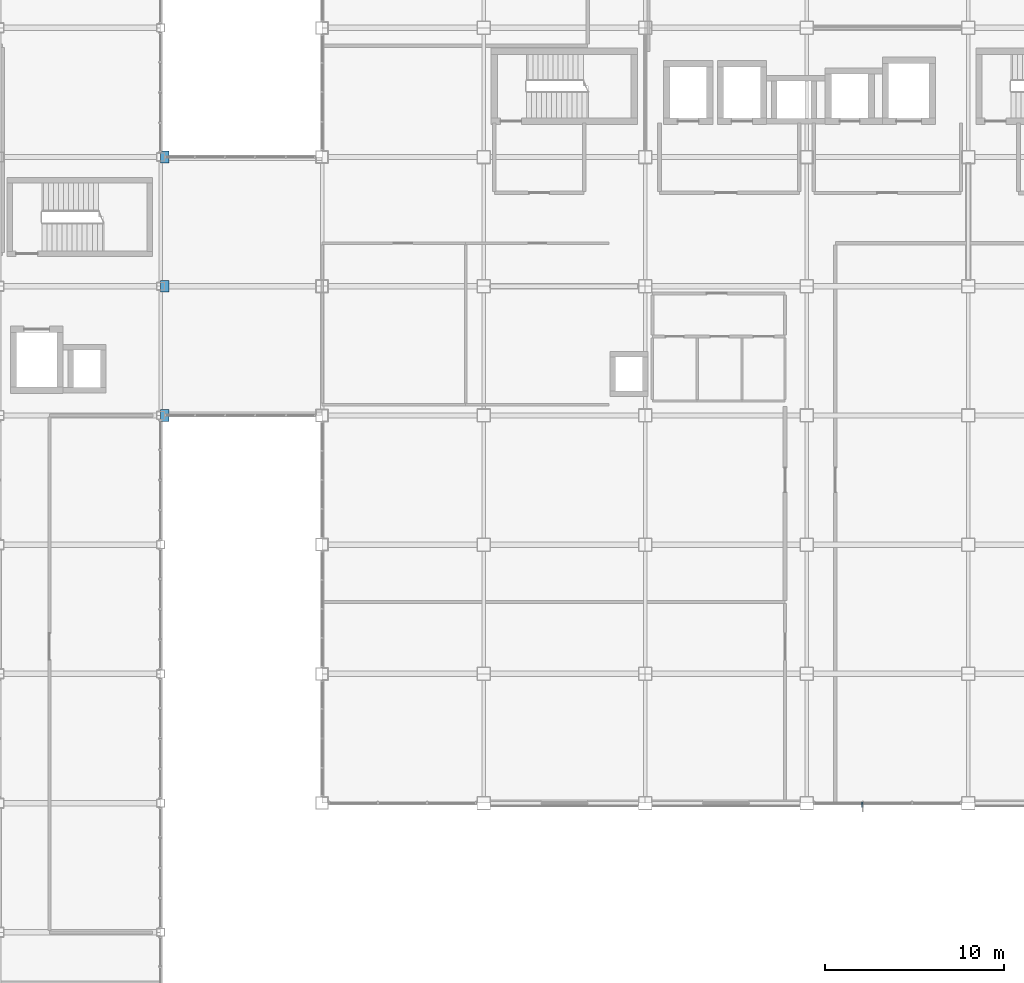
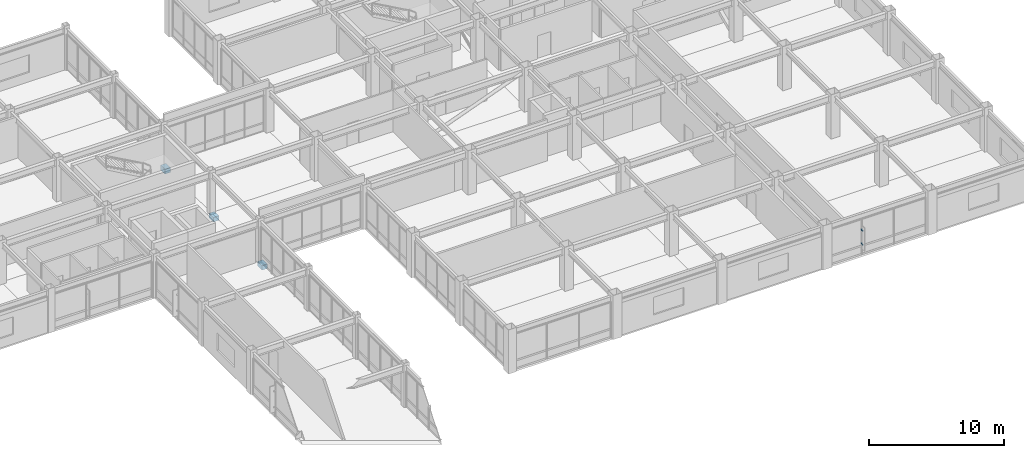
# One storey, part 114 of 122: 5 discrete accessories.
"""IFC4 building model written with IfcOpenShell, lengths in metres."""

from ifc_helpers import new_model, si_unit, direction, frame, origin, origin_2d, place, context, subcontext, project, spatial, rectangle, extrude, material, type_object, element, save


model = new_model("IFC4")

# Units and contexts
model_context = context("Model", 3, precision=1e-05, world=origin(), true_north=direction((0.0, 1.0)))
body_context = subcontext(model_context, "Body", "Model", "MODEL_VIEW")
ifc_project = project(units=[si_unit("LENGTHUNIT", "METRE"), si_unit("AREAUNIT", "SQUARE_METRE"), si_unit("VOLUMEUNIT", "CUBIC_METRE"), si_unit("PLANEANGLEUNIT", "RADIAN"), si_unit("MASSUNIT", "GRAM", prefix="KILO")], contexts=[model_context])

# Site, building, storey
site_placement = place(None, origin())
site = spatial("IfcSite", under=ifc_project, at=site_placement, CompositionType="ELEMENT")
building_placement = place(site_placement, origin())
building = spatial("IfcBuilding", under=site, at=building_placement, Name="Kazanami Central Library", CompositionType="ELEMENT")
storey_placement = place(building_placement, frame((0.0, 0.0, 4.800048828125)))
storey = spatial("IfcBuildingStorey", under=building, at=storey_placement, Name="L02", CompositionType="ELEMENT", Elevation=4.800048828125)

# Discrete accessories
ifc_material = material(Name="Stainless Steel SUS304", Category="steel")
discrete_accessory_type_1 = type_object("IfcDiscreteAccessoryType", Name="ACC-BRK-1", PredefinedType="BRACKET", material=ifc_material)
for number, where, z_axis, x_axis, name in (
    (1, (147.125, 43.110107421875, 0.95751953125), (0.0, 0.0, 1.0), (1.0, 0.0, 0.0), "Solar Fin Outrigger Bracket L02 S-G-16.1.1"),
    (2, (147.125, 43.110107421875, 2.217529296875), (0.0, 0.0, 1.0), (1.0, 0.0, 0.0), "Solar Fin Outrigger Bracket L02 S-G-16.1.2"),
):
    element("IfcDiscreteAccessory", number, at=place(storey_placement, frame(where, z_axis=z_axis, x_axis=x_axis)), inside=storey, type_object=discrete_accessory_type_1, Name=name, PredefinedType="BRACKET", context=body_context, shape_type="SweptSolid", body=[
        extrude(rectangle(XDim=0.080078125, YDim=0.280029296875, at=origin_2d()), origin(), (0.0, 0.0, 1.0), 0.080078125),
    ])
discrete_accessory_type_2 = type_object("IfcDiscreteAccessoryType", Name="ACC-CRB-460", PredefinedType="BRACKET", material=ifc_material)
for number, where, z_axis, x_axis, name in (
    (3, (108.22998046875, 64.800048828125, -0.6650390625), (0.0, 0.0, 1.0), (1.0, 0.0, 0.0), "Link Bridge Corbel Seat and Elastomeric Sliding Bearing L02 EA-1"),
    (4, (108.22998046875, 72.0, -0.6650390625), (0.0, 0.0, 1.0), (1.0, 0.0, 0.0), "Link Bridge Corbel Seat and Elastomeric Sliding Bearing L02 EA-2"),
    (5, (108.22998046875, 79.199951171875, -0.6650390625), (0.0, 0.0, 1.0), (1.0, 0.0, 0.0), "Link Bridge Corbel Seat and Elastomeric Sliding Bearing L02 EA-3"),
):
    element("IfcDiscreteAccessory", number, at=place(storey_placement, frame(where, z_axis=z_axis, x_axis=x_axis)), inside=storey, type_object=discrete_accessory_type_2, Name=name, PredefinedType="BRACKET", context=body_context, shape_type="SweptSolid", body=[
        extrude(rectangle(XDim=0.4599609375, YDim=0.64990234375, at=origin_2d()), origin(), (0.0, 0.0, 1.0), 0.419921875),
    ])

save(model, "model.ifc")
